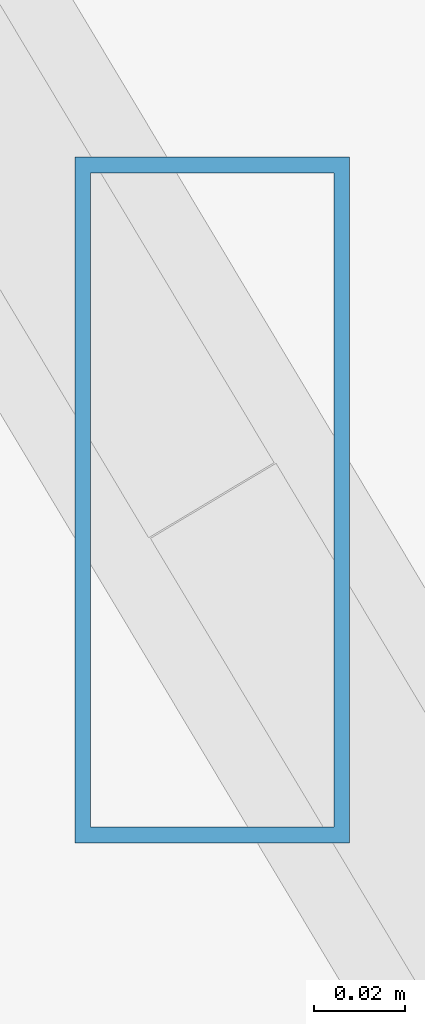
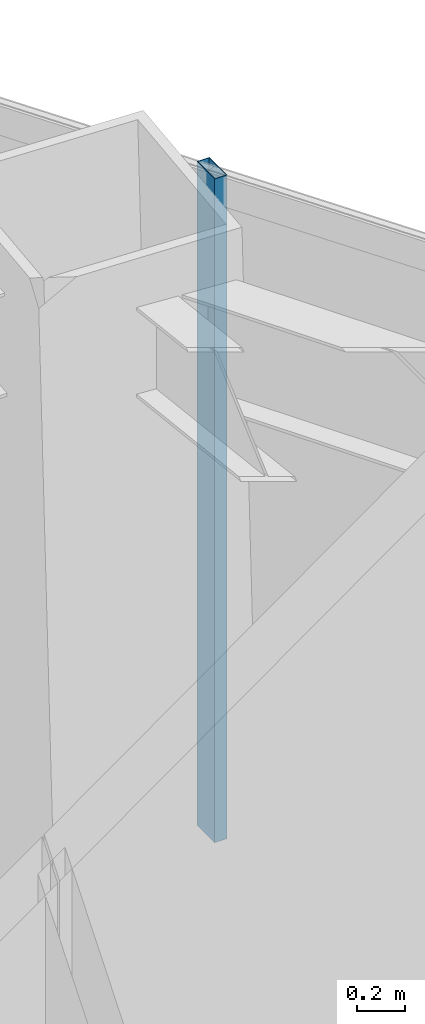
# One storey, part 33 of 41: 1 member, 1 element without a shape of its own.
"""IFC4 building model written with IfcOpenShell, lengths in metres."""

from ifc_helpers import new_model, si_unit, direction, frame, origin, origin_2d, place, context, subcontext, project, spatial, hollow_rectangle, extrude, source, transform, mapped, material, material_profile, profile_set, type_object, type_shapes, element, aggregate, save


model = new_model("IFC4")

# Units and contexts
model_context = context("Model", 3, precision=1e-05, world=origin(), true_north=direction((0.0, 1.0)))
body_context = subcontext(model_context, "Body", "Model", "MODEL_VIEW")
ifc_project = project(units=[si_unit("LENGTHUNIT", "METRE"), si_unit("AREAUNIT", "SQUARE_METRE"), si_unit("VOLUMEUNIT", "CUBIC_METRE"), si_unit("PLANEANGLEUNIT", "RADIAN"), si_unit("MASSUNIT", "GRAM", prefix="KILO")], contexts=[model_context])

# Site, building, storey
site_placement = place(None, origin())
site = spatial("IfcSite", under=ifc_project, at=site_placement, CompositionType="ELEMENT")
building_placement = place(site_placement, origin())
building = spatial("IfcBuilding", under=site, at=building_placement, Name="Caelisora Broadcast Tower", CompositionType="ELEMENT")
storey_placement = place(building_placement, frame((0.0, 0.0, 165.800048828125)))
storey = spatial("IfcBuildingStorey", under=building, at=storey_placement, Name="L43", CompositionType="ELEMENT", Elevation=165.800048828125)

# Curtain wall, member
ifc_material_1 = material(Name="Unitised Aluminium and Low-E Glass Curtain Wall", Category="glass")
curtain_wall_type = type_object("IfcCurtainWallType", Name="CW-Z3", PredefinedType="NOTDEFINED", material=ifc_material_1)
curtain_wall_placement = place(storey_placement, origin())
curtain_wall = element("IfcCurtainWall", 1, at=curtain_wall_placement, inside=storey, type_object=curtain_wall_type, Name="L43 curtain wall CW-Z3", PredefinedType="NOTDEFINED")
ifc_material_2 = material(Name="Aluminium 6063-T6 Anodised Terracotta Bronze", Category="aluminium")
ifc_material_profile = material_profile(ifc_material_2, hollow_rectangle(XDim=0.06005859375, YDim=0.14990234375, WallThickness=0.00341796875, at=origin_2d()), Name="Aluminium 6063-T6 Anodised Terracotta Bronze")
ifc_profile_set = profile_set([ifc_material_profile], Name="Aluminium 6063-T6 Anodised Terracotta Bronze")
member_type = type_object("IfcMemberType", Name="CWM-03", PredefinedType="MULLION", material=ifc_profile_set)
shared_shape = source(origin(), body_context, "Body", "SweptSolid", [
    extrude(hollow_rectangle(XDim=0.06005859375, YDim=0.14990234375, WallThickness=0.00341796875, at=origin_2d()), origin(), (0.0, 0.0, 1.0), 3.39990234375),
])
type_shapes(member_type, [shared_shape])
member_placement = place(storey_placement, frame((44.656005859375, 46.773681640625, 0.0), z_axis=(0.0, 0.0, 1.0), x_axis=(1.0, 0.0, 0.0)))
member = element("IfcMember", 2, at=member_placement, type_object=member_type, Name="L43-CW-B01 mullion #1", PredefinedType="MULLION", context=body_context, shape_type="MappedRepresentation", body=[
    mapped(shared_shape, transform((0.0, 0.0, 0.0), scale=1.0)),
])
aggregate(curtain_wall, [member])

save(model, "model.ifc")
